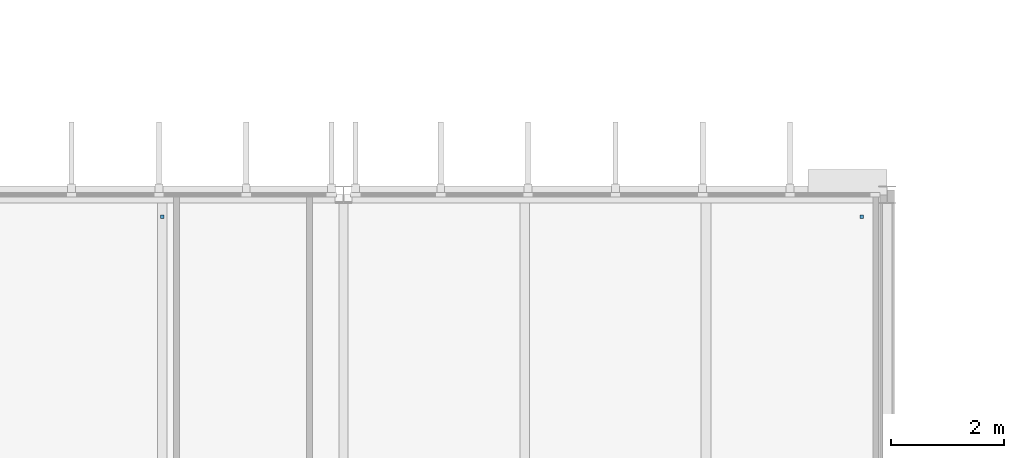
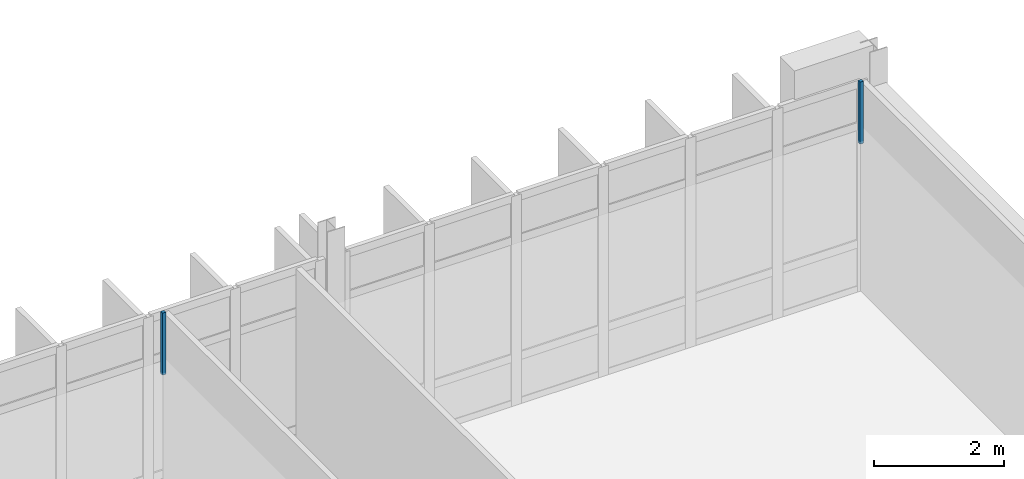
# One storey, part 82 of 110: 2 discrete accessories.
"""IFC4 building model written with IfcOpenShell, lengths in metres."""

from ifc_helpers import new_model, si_unit, direction, frame, origin, place, context, subcontext, project, spatial, polyline, outline, extrude, material, type_object, element, save


model = new_model("IFC4")

# Units and contexts
model_context = context("Model", 3, precision=1e-05, world=origin(), true_north=direction((0.0, 1.0)))
body_context = subcontext(model_context, "Body", "Model", "MODEL_VIEW")
ifc_project = project(units=[si_unit("LENGTHUNIT", "METRE"), si_unit("AREAUNIT", "SQUARE_METRE"), si_unit("VOLUMEUNIT", "CUBIC_METRE"), si_unit("PLANEANGLEUNIT", "RADIAN"), si_unit("MASSUNIT", "GRAM", prefix="KILO")], contexts=[model_context])

# Site, building, storey
site_placement = place(None, origin())
site = spatial("IfcSite", under=ifc_project, at=site_placement, CompositionType="ELEMENT")
building_placement = place(site_placement, origin())
building = spatial("IfcBuilding", under=site, at=building_placement, Name="Dunescarp Central Library", CompositionType="ELEMENT")
storey_placement = place(building_placement, frame((0.0, 0.0, 9.60009765625)))
storey = spatial("IfcBuildingStorey", under=building, at=storey_placement, Name="L02", CompositionType="ELEMENT", Elevation=9.60009765625)

# Discrete accessories
ifc_material = material(Name="Stainless steel Grade 316L", Category="steel")
discrete_accessory_type = type_object("IfcDiscreteAccessoryType", Name="ARC-ACC-BRK", PredefinedType="BRACKET", material=ifc_material)
discrete_accessory_1_placement = place(storey_placement, frame((0.0, 0.0, 3.059814453125)))
element("IfcDiscreteAccessory", 1, at=discrete_accessory_1_placement, inside=storey, type_object=discrete_accessory_type, Name="L02 ceiling hanger CLG-L02-064-H2", PredefinedType="BRACKET", context=body_context, shape_type="SweptSolid", body=[
    extrude(outline(polyline([(76.320068359375, 36.3798828125), (76.3798828125, 36.3798828125), (76.3798828125, 36.43994140625), (76.320068359375, 36.43994140625), (76.320068359375, 36.3798828125)])), origin(), (0.0, 0.0, 1.0), 1.16015625),
])
discrete_accessory_2_placement = place(storey_placement, frame((0.0, 0.0, 3.059814453125)))
element("IfcDiscreteAccessory", 2, at=discrete_accessory_2_placement, inside=storey, type_object=discrete_accessory_type, Name="L02 ceiling hanger CLG-L02-066-H2", PredefinedType="BRACKET", context=body_context, shape_type="SweptSolid", body=[
    extrude(outline(polyline([(63.969970703125, 36.3798828125), (64.030029296875, 36.3798828125), (64.030029296875, 36.43994140625), (63.969970703125, 36.43994140625), (63.969970703125, 36.3798828125)])), origin(), (0.0, 0.0, 1.0), 1.16015625),
])

save(model, "model.ifc")
